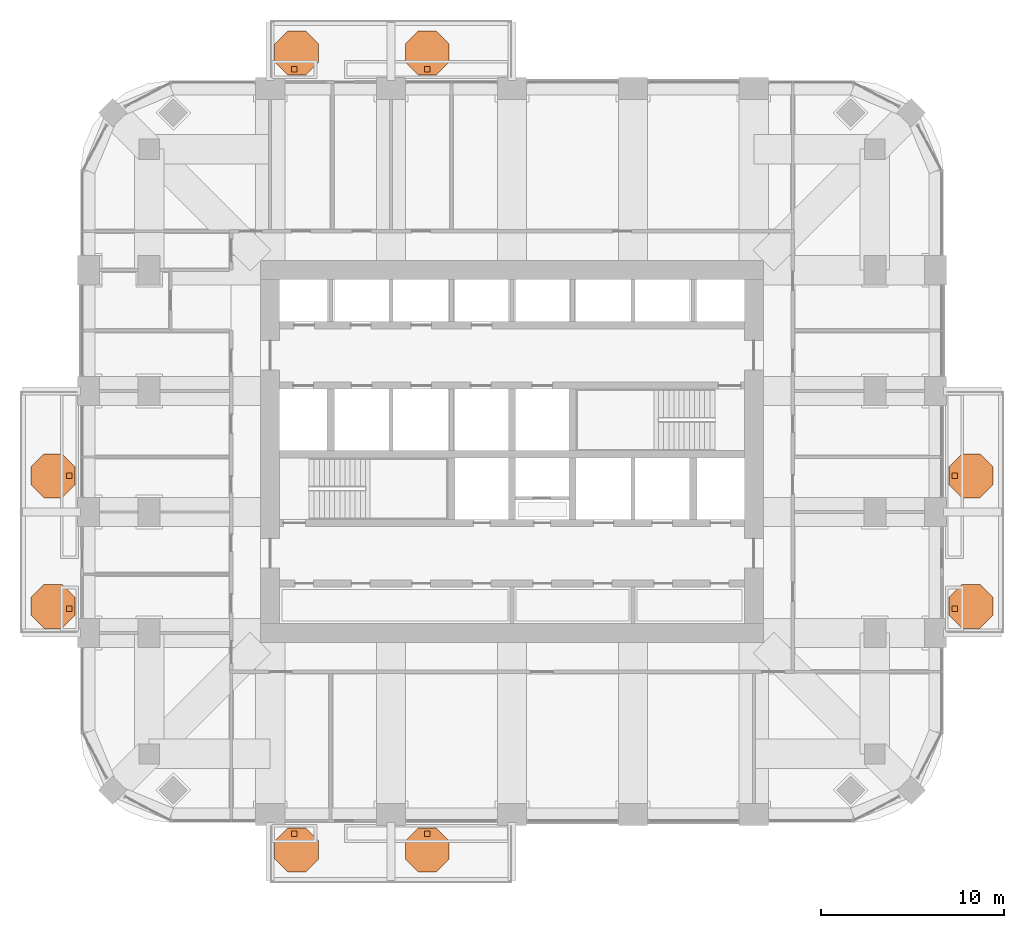
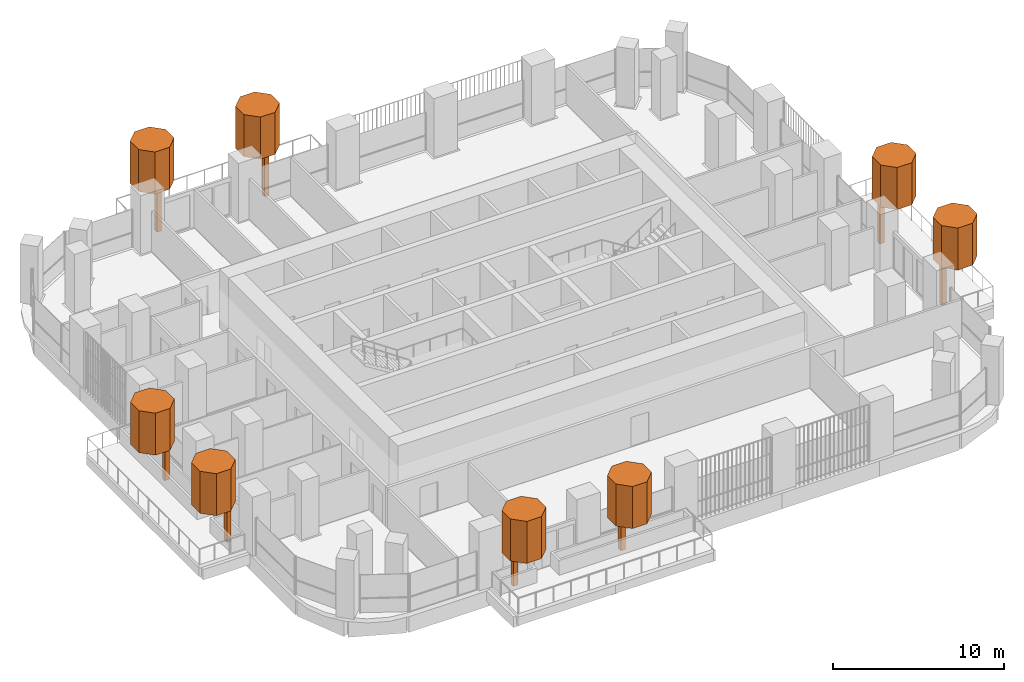
# One storey, part 20 of 20: 16 geographic elements.
"""IFC4 building model written with IfcOpenShell, lengths in metres."""

from ifc_helpers import new_model, si_unit, direction, frame, origin, origin_2d, place, context, subcontext, project, spatial, polyline, rectangle, outline, extrude, material, type_object, element, save


model = new_model("IFC4")

# Units and contexts
model_context = context("Model", 3, precision=1e-05, world=origin(), true_north=direction((0.0, 1.0)))
body_context = subcontext(model_context, "Body", "Model", "MODEL_VIEW")
ifc_project = project(units=[si_unit("LENGTHUNIT", "METRE"), si_unit("AREAUNIT", "SQUARE_METRE"), si_unit("VOLUMEUNIT", "CUBIC_METRE"), si_unit("PLANEANGLEUNIT", "RADIAN"), si_unit("MASSUNIT", "GRAM", prefix="KILO")], contexts=[model_context])

# Site, building, storey
site_placement = place(None, origin())
site = spatial("IfcSite", under=ifc_project, at=site_placement, CompositionType="ELEMENT")
building_placement = place(site_placement, origin())
building = spatial("IfcBuilding", under=site, at=building_placement, Name="Cobogo Forest Laboratory Tower", CompositionType="ELEMENT")
storey_placement = place(building_placement, frame((0.0, 0.0, 201.89990234375)))
storey = spatial("IfcBuildingStorey", under=building, at=storey_placement, Name="L46", CompositionType="ELEMENT", Elevation=201.89990234375)

# Geographic elements
ifc_material = material(Name="Planting", Category="plant")
geographic_element_type_1 = type_object("IfcGeographicElementType", Name="Tree trunk 300", PredefinedType="USERDEFINED", material=ifc_material)
for number, where, z_axis, x_axis, name in (
    (1, (14.52490234375, 2.25, 0.000244140625), (0.0, 0.0, 1.0), (1.0, 0.0, 0.0), "Tree trunk BAL-S1-PL1 L46"),
    (2, (21.77490234375, 2.25, 0.000244140625), (0.0, 0.0, 1.0), (1.0, 0.0, 0.0), "Tree trunk BAL-S1-PL2 L46"),
    (3, (50.550048828125, 14.52490234375, 0.000244140625), (0.0, 0.0, 1.0), (1.0, 0.0, 0.0), "Tree trunk BAL-E1-PL1 L46"),
    (4, (50.550048828125, 21.77490234375, 0.000244140625), (0.0, 0.0, 1.0), (1.0, 0.0, 0.0), "Tree trunk BAL-E1-PL2 L46"),
    (5, (14.52490234375, 43.949951171875, 0.000244140625), (0.0, 0.0, 1.0), (1.0, 0.0, 0.0), "Tree trunk BAL-N1-PL1 L46"),
    (6, (21.77490234375, 43.949951171875, 0.000244140625), (0.0, 0.0, 1.0), (1.0, 0.0, 0.0), "Tree trunk BAL-N1-PL2 L46"),
    (7, (2.25, 14.52490234375, 0.000244140625), (0.0, 0.0, 1.0), (1.0, 0.0, 0.0), "Tree trunk BAL-W1-PL1 L46"),
    (8, (2.25, 21.77490234375, 0.000244140625), (0.0, 0.0, 1.0), (1.0, 0.0, 0.0), "Tree trunk BAL-W1-PL2 L46"),
):
    element("IfcGeographicElement", number, at=place(storey_placement, frame(where, z_axis=z_axis, x_axis=x_axis)), inside=storey, type_object=geographic_element_type_1, Name=name, ObjectType="TREE TRUNK", PredefinedType="USERDEFINED", context=body_context, shape_type="SweptSolid", body=[
        extrude(rectangle(XDim=0.300048828125, YDim=0.300048828125, at=origin_2d()), origin(), (0.0, 0.0, 1.0), 2.89990234375),
    ])
geographic_element_type_2 = type_object("IfcGeographicElementType", Name="Tree, holm oak 5 m", PredefinedType="USERDEFINED", material=ifc_material)
geographic_element_1_placement = place(storey_placement, frame((0.0, 0.0, 2.900146484375)))
element("IfcGeographicElement", 9, at=geographic_element_1_placement, inside=storey, type_object=geographic_element_type_2, Name="Holm tree BAL-S1-PL1 L46", ObjectType="TREE", PredefinedType="USERDEFINED", context=body_context, shape_type="SweptSolid", body=[
    extrude(outline(polyline([(15.85009765625, 0.85302734375), (15.85009765625, 1.84716796875), (15.14697265625, 2.550048828125), (14.15283203125, 2.550048828125), (13.449951171875, 1.84716796875), (13.449951171875, 0.85302734375), (14.15283203125, 0.14990234375), (15.14697265625, 0.14990234375), (15.85009765625, 0.85302734375)])), origin(), (0.0, 0.0, 1.0), 3.0),
])
geographic_element_2_placement = place(storey_placement, frame((0.0, 0.0, 2.900146484375)))
element("IfcGeographicElement", 10, at=geographic_element_2_placement, inside=storey, type_object=geographic_element_type_2, Name="Holm tree BAL-S1-PL2 L46", ObjectType="TREE", PredefinedType="USERDEFINED", context=body_context, shape_type="SweptSolid", body=[
    extrude(outline(polyline([(22.97509765625, 0.85302734375), (22.97509765625, 1.84716796875), (22.27197265625, 2.550048828125), (21.27783203125, 2.550048828125), (20.574951171875, 1.84716796875), (20.574951171875, 0.85302734375), (21.27783203125, 0.14990234375), (22.27197265625, 0.14990234375), (22.97509765625, 0.85302734375)])), origin(), (0.0, 0.0, 1.0), 3.0),
])
geographic_element_3_placement = place(storey_placement, frame((0.0, 0.0, 2.900146484375)))
element("IfcGeographicElement", 11, at=geographic_element_3_placement, inside=storey, type_object=geographic_element_type_2, Name="Holm tree BAL-E1-PL1 L46", ObjectType="TREE", PredefinedType="USERDEFINED", context=body_context, shape_type="SweptSolid", body=[
    extrude(outline(polyline([(52.64990234375, 14.15283203125), (52.64990234375, 15.14697265625), (51.947021484375, 15.85009765625), (50.952880859375, 15.85009765625), (50.25, 15.14697265625), (50.25, 14.15283203125), (50.952880859375, 13.449951171875), (51.947021484375, 13.449951171875), (52.64990234375, 14.15283203125)])), origin(), (0.0, 0.0, 1.0), 3.0),
])
geographic_element_4_placement = place(storey_placement, frame((0.0, 0.0, 2.900146484375)))
element("IfcGeographicElement", 12, at=geographic_element_4_placement, inside=storey, type_object=geographic_element_type_2, Name="Holm tree BAL-E1-PL2 L46", ObjectType="TREE", PredefinedType="USERDEFINED", context=body_context, shape_type="SweptSolid", body=[
    extrude(outline(polyline([(52.64990234375, 21.27783203125), (52.64990234375, 22.27197265625), (51.947021484375, 22.97509765625), (50.952880859375, 22.97509765625), (50.25, 22.27197265625), (50.25, 21.27783203125), (50.952880859375, 20.574951171875), (51.947021484375, 20.574951171875), (52.64990234375, 21.27783203125)])), origin(), (0.0, 0.0, 1.0), 3.0),
])
geographic_element_5_placement = place(storey_placement, frame((0.0, 0.0, 2.900146484375)))
element("IfcGeographicElement", 13, at=geographic_element_5_placement, inside=storey, type_object=geographic_element_type_2, Name="Holm tree BAL-N1-PL1 L46", ObjectType="TREE", PredefinedType="USERDEFINED", context=body_context, shape_type="SweptSolid", body=[
    extrude(outline(polyline([(15.85009765625, 44.35302734375), (15.85009765625, 45.34716796875), (15.14697265625, 46.050048828125), (14.15283203125, 46.050048828125), (13.449951171875, 45.34716796875), (13.449951171875, 44.35302734375), (14.15283203125, 43.64990234375), (15.14697265625, 43.64990234375), (15.85009765625, 44.35302734375)])), origin(), (0.0, 0.0, 1.0), 3.0),
])
geographic_element_6_placement = place(storey_placement, frame((0.0, 0.0, 2.900146484375)))
element("IfcGeographicElement", 14, at=geographic_element_6_placement, inside=storey, type_object=geographic_element_type_2, Name="Holm tree BAL-N1-PL2 L46", ObjectType="TREE", PredefinedType="USERDEFINED", context=body_context, shape_type="SweptSolid", body=[
    extrude(outline(polyline([(22.97509765625, 44.35302734375), (22.97509765625, 45.34716796875), (22.27197265625, 46.050048828125), (21.27783203125, 46.050048828125), (20.574951171875, 45.34716796875), (20.574951171875, 44.35302734375), (21.27783203125, 43.64990234375), (22.27197265625, 43.64990234375), (22.97509765625, 44.35302734375)])), origin(), (0.0, 0.0, 1.0), 3.0),
])
geographic_element_7_placement = place(storey_placement, frame((0.0, 0.0, 2.900146484375)))
element("IfcGeographicElement", 15, at=geographic_element_7_placement, inside=storey, type_object=geographic_element_type_2, Name="Holm tree BAL-W1-PL1 L46", ObjectType="TREE", PredefinedType="USERDEFINED", context=body_context, shape_type="SweptSolid", body=[
    extrude(outline(polyline([(2.550048828125, 14.15283203125), (2.550048828125, 15.14697265625), (1.84716796875, 15.85009765625), (0.85302734375, 15.85009765625), (0.14990234375, 15.14697265625), (0.14990234375, 14.15283203125), (0.85302734375, 13.449951171875), (1.84716796875, 13.449951171875), (2.550048828125, 14.15283203125)])), origin(), (0.0, 0.0, 1.0), 3.0),
])
geographic_element_8_placement = place(storey_placement, frame((0.0, 0.0, 2.900146484375)))
element("IfcGeographicElement", 16, at=geographic_element_8_placement, inside=storey, type_object=geographic_element_type_2, Name="Holm tree BAL-W1-PL2 L46", ObjectType="TREE", PredefinedType="USERDEFINED", context=body_context, shape_type="SweptSolid", body=[
    extrude(outline(polyline([(2.550048828125, 21.27783203125), (2.550048828125, 22.27197265625), (1.84716796875, 22.97509765625), (0.85302734375, 22.97509765625), (0.14990234375, 22.27197265625), (0.14990234375, 21.27783203125), (0.85302734375, 20.574951171875), (1.84716796875, 20.574951171875), (2.550048828125, 21.27783203125)])), origin(), (0.0, 0.0, 1.0), 3.0),
])

save(model, "model.ifc")
